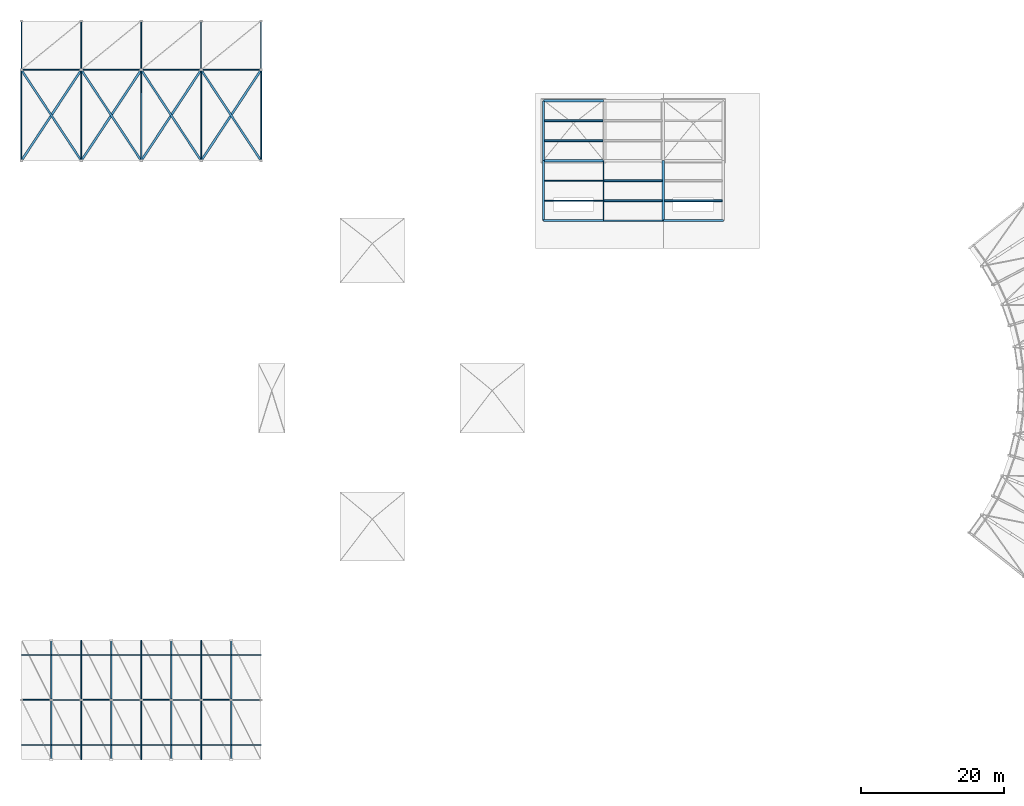
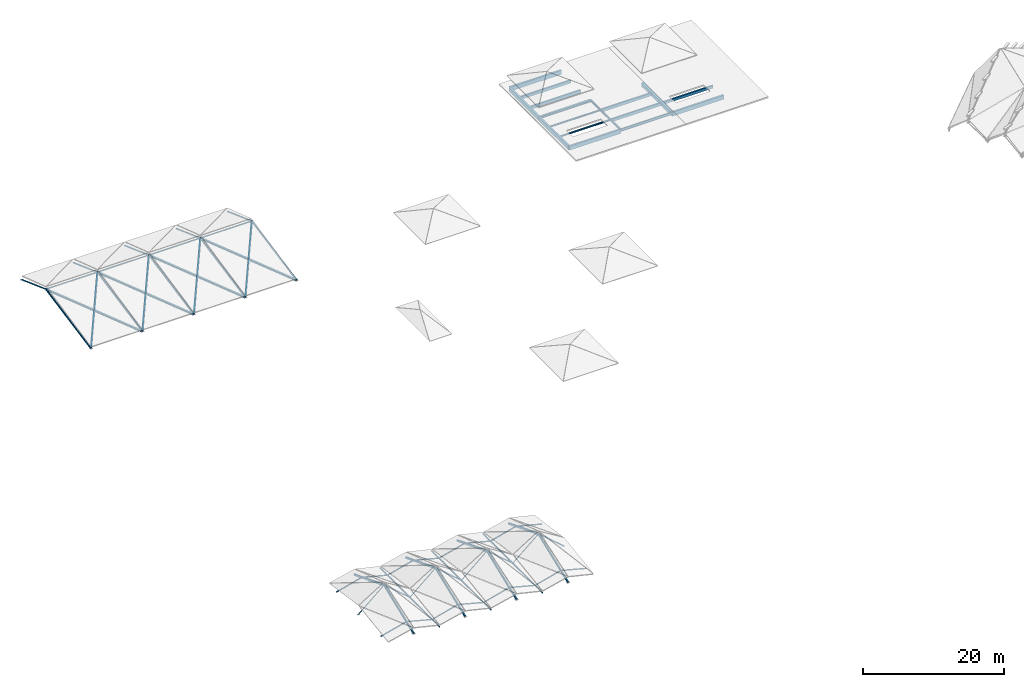
# One storey, part 1 of 10: 57 members, 16 beams.
"""IFC4 building model written with IfcOpenShell, lengths in metres."""

from ifc_helpers import new_model, si_unit, direction, frame, origin, origin_2d, place, context, subcontext, project, spatial, rectangle, hollow_rectangle, hollow_circle, i_section, extrude, material, material_profile, profile_set, type_object, element, save


model = new_model("IFC4")

# Units and contexts
model_context = context("Model", 3, precision=1e-05, world=origin(), true_north=direction((0.0, 1.0)))
body_context = subcontext(model_context, "Body", "Model", "MODEL_VIEW")
ifc_project = project(units=[si_unit("LENGTHUNIT", "METRE"), si_unit("AREAUNIT", "SQUARE_METRE"), si_unit("VOLUMEUNIT", "CUBIC_METRE"), si_unit("PLANEANGLEUNIT", "RADIAN"), si_unit("MASSUNIT", "GRAM", prefix="KILO")], contexts=[model_context])

# Site, building, storey
site_placement = place(None, origin())
site = spatial("IfcSite", under=ifc_project, at=site_placement, CompositionType="ELEMENT")
building_placement = place(site_placement, origin())
building = spatial("IfcBuilding", under=site, at=building_placement, Name="Vanh Quang Courtyard School", CompositionType="ELEMENT")
storey_placement = place(building_placement, frame((0.0, 0.0, 25.800048828125)))
storey = spatial("IfcBuildingStorey", under=building, at=storey_placement, Name="ROOF", CompositionType="ELEMENT", Elevation=25.800048828125)

# Beams
ifc_material_1 = material(Name="Concrete C35/45", Category="concrete")
ifc_material_profile_1 = material_profile(ifc_material_1, rectangle(XDim=0.35009765625, YDim=0.64990234375, at=origin_2d()), Name="RC-BM 350x650")
ifc_profile_set_1 = profile_set([ifc_material_profile_1], Name="Concrete C35/45")
beam_type_1 = type_object("IfcBeamType", Name="BM-RC-350x650", PredefinedType="BEAM", material=ifc_profile_set_1)
beam_1_placement = place(storey_placement, frame((94.199951171875, 79.800048828125, -0.545166015625), z_axis=(0.0, 1.0, 0.0), x_axis=(-1.0, 0.0, 0.0)))
element("IfcBeam", 1, at=beam_1_placement, inside=storey, type_object=beam_type_1, Name="Beam B-05 (ROOF)", PredefinedType="BEAM", context=body_context, shape_type="SweptSolid", body=[
    extrude(rectangle(XDim=0.35009765625, YDim=0.64990234375, at=origin_2d()), origin(), (0.0, 0.0, 1.0), 8.39990234375),
])
ifc_material_profile_2 = material_profile(ifc_material_1, rectangle(XDim=0.300048828125, YDim=0.699951171875, at=origin_2d()), Name="RC-SP 300x700")
ifc_profile_set_2 = profile_set([ifc_material_profile_2], Name="Concrete C35/45")
beam_type_2 = type_object("IfcBeamType", Name="BM-SP-300x700", PredefinedType="SPANDREL", material=ifc_profile_set_2)
for number, where, z_axis, x_axis, name in (
    (2, (77.39990234375, 79.800048828125, -0.570068359375), (1.0, 0.0, 0.0), (0.0, 1.0, 0.0), "Beam BS-01 (ROOF)"),
    (3, (94.199951171875, 79.800048828125, -0.570068359375), (1.0, 0.0, 0.0), (0.0, 1.0, 0.0), "Beam BS-01 (ROOF)"),
    (4, (77.39990234375, 96.60009765625, -0.570068359375), (1.0, 0.0, 0.0), (0.0, 1.0, 0.0), "Beam BS-01 (ROOF)"),
):
    element("IfcBeam", number, at=place(storey_placement, frame(where, z_axis=z_axis, x_axis=x_axis)), inside=storey, type_object=beam_type_2, Name=name, PredefinedType="SPANDREL", context=body_context, shape_type="SweptSolid", body=[
        extrude(rectangle(XDim=0.300048828125, YDim=0.699951171875, at=origin_2d()), origin(), (0.0, 0.0, 1.0), 8.400146484375),
    ])
beam_2_placement = place(storey_placement, frame((77.39990234375, 79.800048828125, -0.570068359375), z_axis=(0.0, 1.0, 0.0), x_axis=(-1.0, 0.0, 0.0)))
element("IfcBeam", 5, at=beam_2_placement, inside=storey, type_object=beam_type_2, Name="Beam BS-01 (ROOF)", PredefinedType="SPANDREL", context=body_context, shape_type="SweptSolid", body=[
    extrude(rectangle(XDim=0.300048828125, YDim=0.699951171875, at=origin_2d()), origin(), (0.0, 0.0, 1.0), 8.39990234375),
])
beam_3_placement = place(storey_placement, frame((77.39990234375, 88.199951171875, -0.570068359375), z_axis=(0.0, 1.0, 0.0), x_axis=(-1.0, 0.0, 0.0)))
element("IfcBeam", 6, at=beam_3_placement, inside=storey, type_object=beam_type_2, Name="Beam BS-01 (ROOF)", PredefinedType="SPANDREL", context=body_context, shape_type="SweptSolid", body=[
    extrude(rectangle(XDim=0.300048828125, YDim=0.699951171875, at=origin_2d()), origin(), (0.0, 0.0, 1.0), 8.400146484375),
])
ifc_material_2 = material(Name="Structural steel EN 10025-2 S355J2", Category="steel")
ifc_material_profile_3 = material_profile(ifc_material_2, i_section(OverallWidth=0.300048828125, OverallDepth=0.389892578125, WebThickness=0.010986328125, FlangeThickness=0.01904296875, FilletRadius=0.027099609375, at=origin_2d()), Name="HEA 400")
ifc_profile_set_3 = profile_set([ifc_material_profile_3], Name="Structural steel EN 10025-2 S355J2")
beam_type_3 = type_object("IfcBeamType", Name="BM-STL-HEA400", PredefinedType="BEAM", material=ifc_profile_set_3)
beam_4_placement = place(storey_placement, frame((77.39990234375, 88.199951171875, -0.4150390625), z_axis=(1.0, 0.0, 0.0), x_axis=(0.0, 1.0, 0.0)))
element("IfcBeam", 7, at=beam_4_placement, inside=storey, type_object=beam_type_3, Name="Beam SB-08 (ROOF)", PredefinedType="BEAM", context=body_context, shape_type="SweptSolid", body=[
    extrude(i_section(OverallWidth=0.300048828125, OverallDepth=0.389892578125, WebThickness=0.010986328125, FlangeThickness=0.01904296875, FilletRadius=0.027099609375, at=origin_2d()), origin(), (0.0, 0.0, 1.0), 8.400146484375),
])
ifc_material_profile_4 = material_profile(ifc_material_2, i_section(OverallWidth=0.169921875, OverallDepth=0.360107421875, WebThickness=0.008056640625, FlangeThickness=0.0126953125, FilletRadius=0.01806640625, at=origin_2d()), Name="IPE 360")
ifc_profile_set_4 = profile_set([ifc_material_profile_4], Name="Structural steel EN 10025-2 S355J2")
beam_type_4 = type_object("IfcBeamType", Name="BM-STL-IPE360", PredefinedType="BEAM", material=ifc_profile_set_4)
beam_5_placement = place(storey_placement, frame((85.800048828125, 79.800048828125, -0.400146484375), z_axis=(0.0, 1.0, 0.0), x_axis=(-1.0, 0.0, 0.0)))
element("IfcBeam", 8, at=beam_5_placement, inside=storey, type_object=beam_type_4, Name="Beam SB-06 (ROOF)", PredefinedType="BEAM", context=body_context, shape_type="SweptSolid", body=[
    extrude(i_section(OverallWidth=0.169921875, OverallDepth=0.360107421875, WebThickness=0.008056640625, FlangeThickness=0.0126953125, FilletRadius=0.01806640625, at=origin_2d()), origin(), (0.0, 0.0, 1.0), 8.39990234375),
])
ifc_material_profile_5 = material_profile(ifc_material_2, i_section(OverallWidth=0.18994140625, OverallDepth=0.449951171875, WebThickness=0.009521484375, FlangeThickness=0.0146484375, FilletRadius=0.02099609375, at=origin_2d()), Name="IPE 450")
ifc_profile_set_5 = profile_set([ifc_material_profile_5], Name="Structural steel EN 10025-2 S355J2")
beam_type_5 = type_object("IfcBeamType", Name="BM-STL-IPE450", PredefinedType="BEAM", material=ifc_profile_set_5)
beam_6_placement = place(storey_placement, frame((85.800048828125, 79.800048828125, -0.445068359375), z_axis=(1.0, 0.0, 0.0), x_axis=(0.0, 1.0, 0.0)))
element("IfcBeam", 9, at=beam_6_placement, inside=storey, type_object=beam_type_5, Name="Beam SB-04 (ROOF)", PredefinedType="BEAM", context=body_context, shape_type="SweptSolid", body=[
    extrude(i_section(OverallWidth=0.18994140625, OverallDepth=0.449951171875, WebThickness=0.009521484375, FlangeThickness=0.0146484375, FilletRadius=0.02099609375, at=origin_2d()), origin(), (0.0, 0.0, 1.0), 8.39990234375),
])
ifc_material_3 = material(Name="Concrete C30/37", Category="concrete")
ifc_material_profile_6 = material_profile(ifc_material_3, rectangle(XDim=0.25, YDim=0.449951171875, at=origin_2d()), Name="RC-JST 250x450")
ifc_profile_set_6 = profile_set([ifc_material_profile_6], Name="Concrete C30/37")
beam_type_6 = type_object("IfcBeamType", Name="JST-RC-250x450", PredefinedType="JOIST", material=ifc_profile_set_6)
beam_7_placement = place(storey_placement, frame((94.375, 82.60009765625, -0.445068359375), z_axis=(1.0, 0.0, 0.0), x_axis=(0.0, 1.0, 0.0)))
element("IfcBeam", 10, at=beam_7_placement, inside=storey, type_object=beam_type_6, Name="Beam BJ-02 (ROOF)", PredefinedType="JOIST", context=body_context, shape_type="SweptSolid", body=[
    extrude(rectangle(XDim=0.25, YDim=0.449951171875, at=origin_2d()), origin(), (0.0, 0.0, 1.0), 8.074951171875),
])
ifc_material_profile_7 = material_profile(ifc_material_3, rectangle(XDim=0.25, YDim=0.5, at=origin_2d()), Name="RC-JST 250x500")
ifc_profile_set_7 = profile_set([ifc_material_profile_7], Name="Concrete C30/37")
beam_type_7 = type_object("IfcBeamType", Name="JST-RC-250x500", PredefinedType="JOIST", material=ifc_profile_set_7)
for number, where, z_axis, x_axis, name in (
    (11, (77.550048828125, 91.0, -0.469970703125), (1.0, 0.0, 0.0), (0.0, 1.0, 0.0), "Beam BJ-01 (ROOF)"),
    (12, (77.550048828125, 93.800048828125, -0.469970703125), (1.0, 0.0, 0.0), (0.0, 1.0, 0.0), "Beam BJ-01 (ROOF)"),
):
    element("IfcBeam", number, at=place(storey_placement, frame(where, z_axis=z_axis, x_axis=x_axis)), inside=storey, type_object=beam_type_7, Name=name, PredefinedType="JOIST", context=body_context, shape_type="SweptSolid", body=[
        extrude(rectangle(XDim=0.25, YDim=0.5, at=origin_2d()), origin(), (0.0, 0.0, 1.0), 8.1650390625),
    ])
for number, where, z_axis, x_axis, name in (
    (13, (85.885009765625, 82.60009765625, -0.469970703125), (1.0, 0.0, 0.0), (0.0, 1.0, 0.0), "Beam BJ-01 (ROOF)"),
    (14, (85.885009765625, 85.39990234375, -0.469970703125), (1.0, 0.0, 0.0), (0.0, 1.0, 0.0), "Beam BJ-01 (ROOF)"),
):
    element("IfcBeam", number, at=place(storey_placement, frame(where, z_axis=z_axis, x_axis=x_axis)), inside=storey, type_object=beam_type_7, Name=name, PredefinedType="JOIST", context=body_context, shape_type="SweptSolid", body=[
        extrude(rectangle(XDim=0.25, YDim=0.5, at=origin_2d()), origin(), (0.0, 0.0, 1.0), 8.139892578125),
    ])
ifc_material_profile_8 = material_profile(ifc_material_2, i_section(OverallWidth=0.135009765625, OverallDepth=0.27001953125, WebThickness=0.006591796875, FlangeThickness=0.01025390625, FilletRadius=0.014892578125, at=origin_2d()), Name="IPE 270")
ifc_profile_set_8 = profile_set([ifc_material_profile_8], Name="Structural steel EN 10025-2 S355J2")
beam_type_8 = type_object("IfcBeamType", Name="JST-STL-IPE270", PredefinedType="JOIST", material=ifc_profile_set_8)
for number, where, z_axis, x_axis, name in (
    (15, (77.550048828125, 82.60009765625, -0.35498046875), (1.0, 0.0, 0.0), (0.0, 1.0, 0.0), "Beam SJ-03 (ROOF)"),
    (16, (77.550048828125, 85.39990234375, -0.35498046875), (1.0, 0.0, 0.0), (0.0, 1.0, 0.0), "Beam SJ-03 (ROOF)"),
):
    element("IfcBeam", number, at=place(storey_placement, frame(where, z_axis=z_axis, x_axis=x_axis)), inside=storey, type_object=beam_type_8, Name=name, PredefinedType="JOIST", context=body_context, shape_type="SweptSolid", body=[
        extrude(i_section(OverallWidth=0.135009765625, OverallDepth=0.27001953125, WebThickness=0.006591796875, FlangeThickness=0.01025390625, FilletRadius=0.014892578125, at=origin_2d()), origin(), (0.0, 0.0, 1.0), 8.1650390625),
    ])

# Members
ifc_material_profile_9 = material_profile(ifc_material_2, hollow_circle(Radius=0.06982421875, WallThickness=0.008056640625, at=origin_2d()), Name="CHS 139.7x8")
ifc_profile_set_9 = profile_set([ifc_material_profile_9], Name="Structural steel EN 10025-2 S355J2")
member_type_1 = type_object("IfcMemberType", Name="MEM-BRC-CHS139", PredefinedType="BRACE", material=ifc_profile_set_9)
for number, where, z_axis, x_axis, name in (
    (17, (4.199951171875, 12.60009765625, -14.699951171875), (0.759265948664, 0.0, 0.650780469282), (0.0, 1.0, 0.0), "Structural Member MB-03 (ROOF)"),
    (18, (12.60009765625, 12.60009765625, -14.699951171875), (0.759265948664, 0.0, 0.650780469282), (0.0, 1.0, 0.0), "Structural Member MB-03 (ROOF)"),
    (19, (21.0, 12.60009765625, -14.699951171875), (0.759265948664, 0.0, 0.650780469282), (0.0, 1.0, 0.0), "Structural Member MB-03 (ROOF)"),
):
    element("IfcMember", number, at=place(storey_placement, frame(where, z_axis=z_axis, x_axis=x_axis)), inside=storey, type_object=member_type_1, Name=name, PredefinedType="BRACE", context=body_context, shape_type="SweptSolid", body=[
        extrude(hollow_circle(Radius=0.06982421875, WallThickness=0.008056640625, at=origin_2d()), origin(), (0.0, 0.0, 1.0), 5.531494140625),
    ])
member_1_placement = place(storey_placement, frame((29.39990234375, 12.60009765625, -14.699951171875), z_axis=(0.759284639853, 0.0, 0.650758661627), x_axis=(0.0, 1.0, 0.0)))
element("IfcMember", 20, at=member_1_placement, inside=storey, type_object=member_type_1, Name="Structural Member MB-03 (ROOF)", PredefinedType="BRACE", context=body_context, shape_type="SweptSolid", body=[
    extrude(hollow_circle(Radius=0.06982421875, WallThickness=0.008056640625, at=origin_2d()), origin(), (0.0, 0.0, 1.0), 5.53173828125),
])
ifc_material_profile_10 = material_profile(ifc_material_2, i_section(OverallWidth=0.280029296875, OverallDepth=0.27001953125, WebThickness=0.008056640625, FlangeThickness=0.012939453125, FilletRadius=0.02392578125, at=origin_2d()), Name="HEA 280")
ifc_profile_set_10 = profile_set([ifc_material_profile_10], Name="Structural steel EN 10025-2 S355J2")
member_type_2 = type_object("IfcMemberType", Name="MEM-BRC-HEA280", PredefinedType="BRACE", material=ifc_profile_set_10)
for number, where, z_axis, x_axis, name in (
    (21, (12.60009765625, 88.199951171875, -14.66015625), (-0.543167208106, 0.823788601755, 0.162301335965), (-0.834857780006, -0.55046570026, 0.0), "Structural Member MB-08 (ROOF)"),
    (22, (21.0, 88.199951171875, -14.66015625), (-0.543156078941, 0.823795665506, 0.162302727652), (-0.834865132347, -0.550454549251, 0.0), "Structural Member MB-08 (ROOF)"),
    (23, (29.39990234375, 88.199951171875, -14.66015625), (-0.543156078941, 0.823795665506, 0.162302727652), (-0.834865132347, -0.550454549251, 0.0), "Structural Member MB-08 (ROOF)"),
    (24, (37.800048828125, 88.199951171875, -14.66015625), (-0.543167208106, 0.823788601755, 0.162301335965), (-0.834857780006, -0.55046570026, 0.0), "Structural Member MB-08 (ROOF)"),
):
    element("IfcMember", number, at=place(storey_placement, frame(where, z_axis=z_axis, x_axis=x_axis)), inside=storey, type_object=member_type_2, Name=name, PredefinedType="BRACE", context=body_context, shape_type="SweptSolid", body=[
        extrude(i_section(OverallWidth=0.280029296875, OverallDepth=0.27001953125, WebThickness=0.008056640625, FlangeThickness=0.012939453125, FilletRadius=0.02392578125, at=origin_2d()), origin(), (0.0, 0.0, 1.0), 15.465087890625),
    ])
ifc_material_profile_11 = material_profile(ifc_material_2, i_section(OverallWidth=0.300048828125, OverallDepth=0.2900390625, WebThickness=0.008544921875, FlangeThickness=0.013916015625, FilletRadius=0.027099609375, at=origin_2d()), Name="HEA 300")
ifc_profile_set_11 = profile_set([ifc_material_profile_11], Name="Structural steel EN 10025-2 S355J2")
member_type_3 = type_object("IfcMemberType", Name="MEM-BRC-HEA300", PredefinedType="BRACE", material=ifc_profile_set_11)
for number, where, z_axis, x_axis, name in (
    (25, (4.199951171875, 88.199951171875, -14.66015625), (0.543167208106, 0.823788601755, 0.162301335965), (-0.834857780006, 0.55046570026, 0.0), "Structural Member MB-07 (ROOF)"),
    (26, (12.60009765625, 88.199951171875, -14.66015625), (0.543156078941, 0.823795665506, 0.162302727652), (-0.834865132347, 0.550454549251, 0.0), "Structural Member MB-07 (ROOF)"),
    (27, (21.0, 88.199951171875, -14.66015625), (0.543156078941, 0.823795665506, 0.162302727652), (-0.834865132347, 0.550454549251, 0.0), "Structural Member MB-07 (ROOF)"),
    (28, (29.39990234375, 88.199951171875, -14.66015625), (0.543167208106, 0.823788601755, 0.162301335965), (-0.834857780006, 0.55046570026, 0.0), "Structural Member MB-07 (ROOF)"),
):
    element("IfcMember", number, at=place(storey_placement, frame(where, z_axis=z_axis, x_axis=x_axis)), inside=storey, type_object=member_type_3, Name=name, PredefinedType="BRACE", context=body_context, shape_type="SweptSolid", body=[
        extrude(i_section(OverallWidth=0.300048828125, OverallDepth=0.2900390625, WebThickness=0.008544921875, FlangeThickness=0.013916015625, FilletRadius=0.027099609375, at=origin_2d()), origin(), (0.0, 0.0, 1.0), 15.465087890625),
    ])
ifc_material_profile_12 = material_profile(ifc_material_2, hollow_rectangle(XDim=0.10009765625, YDim=0.199951171875, WallThickness=0.008056640625, at=origin_2d()), Name="RHS 200x100x8")
ifc_profile_set_12 = profile_set([ifc_material_profile_12], Name="Structural steel EN 10025-2 S355J2")
member_type_4 = type_object("IfcMemberType", Name="MEM-BRC-RHS200", PredefinedType="BRACE", material=ifc_profile_set_12)
for number, where, z_axis, x_axis, name in (
    (29, (4.199951171875, 100.93994140625, -12.150146484375), (0.0, 0.939113382896, -0.343607412704), (-1.0, 0.0, 0.0), "Structural Member MB-06 (ROOF)"),
    (30, (12.60009765625, 100.93994140625, -12.150146484375), (0.0, 0.939113382896, -0.343607412704), (-1.0, 0.0, 0.0), "Structural Member MB-06 (ROOF)"),
    (31, (21.0, 100.93994140625, -12.150146484375), (0.0, 0.939113382896, -0.343607412704), (-1.0, 0.0, 0.0), "Structural Member MB-06 (ROOF)"),
    (32, (29.39990234375, 100.93994140625, -12.150146484375), (0.0, 0.939113382896, -0.343607412704), (-1.0, 0.0, 0.0), "Structural Member MB-06 (ROOF)"),
    (33, (37.800048828125, 100.93994140625, -12.150146484375), (0.0, 0.939113382896, -0.343607412704), (-1.0, 0.0, 0.0), "Structural Member MB-06 (ROOF)"),
):
    element("IfcMember", number, at=place(storey_placement, frame(where, z_axis=z_axis, x_axis=x_axis)), inside=storey, type_object=member_type_4, Name=name, PredefinedType="BRACE", context=body_context, shape_type="SweptSolid", body=[
        extrude(hollow_rectangle(XDim=0.10009765625, YDim=0.199951171875, WallThickness=0.008056640625, at=origin_2d()), origin(), (0.0, 0.0, 1.0), 7.304931640625),
    ])
ifc_material_profile_13 = material_profile(ifc_material_2, hollow_rectangle(XDim=0.14990234375, YDim=0.25, WallThickness=0.010009765625, at=origin_2d()), Name="RHS 250x150x10")
ifc_profile_set_13 = profile_set([ifc_material_profile_13], Name="Structural steel EN 10025-2 S355J2")
member_type_5 = type_object("IfcMemberType", Name="MEM-BRC-RHS250", PredefinedType="BRACE", material=ifc_profile_set_13)
for number, where, z_axis, x_axis, name in (
    (34, (4.199951171875, 88.199951171875, -14.66015625), (0.0, 0.981139251223, 0.193302275489), (-1.0, 0.0, 0.0), "Structural Member MB-05 (ROOF)"),
    (35, (12.60009765625, 88.199951171875, -14.66015625), (0.0, 0.981139251223, 0.193302275489), (-1.0, 0.0, 0.0), "Structural Member MB-05 (ROOF)"),
    (36, (21.0, 88.199951171875, -14.66015625), (0.0, 0.981139251223, 0.193302275489), (-1.0, 0.0, 0.0), "Structural Member MB-05 (ROOF)"),
    (37, (29.39990234375, 88.199951171875, -14.66015625), (0.0, 0.981139251223, 0.193302275489), (-1.0, 0.0, 0.0), "Structural Member MB-05 (ROOF)"),
    (38, (37.800048828125, 88.199951171875, -14.66015625), (0.0, 0.981139251223, 0.193302275489), (-1.0, 0.0, 0.0), "Structural Member MB-05 (ROOF)"),
):
    element("IfcMember", number, at=place(storey_placement, frame(where, z_axis=z_axis, x_axis=x_axis)), inside=storey, type_object=member_type_5, Name=name, PredefinedType="BRACE", context=body_context, shape_type="SweptSolid", body=[
        extrude(hollow_rectangle(XDim=0.14990234375, YDim=0.25, WallThickness=0.010009765625, at=origin_2d()), origin(), (0.0, 0.0, 1.0), 12.98486328125),
    ])
ifc_material_profile_14 = material_profile(ifc_material_2, hollow_rectangle(XDim=0.179931640625, YDim=0.179931640625, WallThickness=0.010009765625, at=origin_2d()), Name="SHS 180x180x10")
ifc_profile_set_14 = profile_set([ifc_material_profile_14], Name="Structural steel EN 10025-2 S355J2")
member_type_6 = type_object("IfcMemberType", Name="MEM-BRC-SHS180", PredefinedType="BRACE", material=ifc_profile_set_14)
member_2_placement = place(storey_placement, frame((12.60009765625, 12.60009765625, -14.699951171875), z_axis=(-0.759284639853, 0.0, 0.650758661627), x_axis=(0.0, -1.0, 0.0)))
element("IfcMember", 39, at=member_2_placement, inside=storey, type_object=member_type_6, Name="Structural Member MB-04 (ROOF)", PredefinedType="BRACE", context=body_context, shape_type="SweptSolid", body=[
    extrude(hollow_rectangle(XDim=0.179931640625, YDim=0.179931640625, WallThickness=0.010009765625, at=origin_2d()), origin(), (0.0, 0.0, 1.0), 5.53173828125),
])
for number, where, z_axis, x_axis, name in (
    (40, (21.0, 12.60009765625, -14.699951171875), (-0.759265948664, 0.0, 0.650780469282), (0.0, -1.0, 0.0), "Structural Member MB-04 (ROOF)"),
    (41, (29.39990234375, 12.60009765625, -14.699951171875), (-0.759265948664, 0.0, 0.650780469282), (0.0, -1.0, 0.0), "Structural Member MB-04 (ROOF)"),
    (42, (37.800048828125, 12.60009765625, -14.699951171875), (-0.759265948664, 0.0, 0.650780469282), (0.0, -1.0, 0.0), "Structural Member MB-04 (ROOF)"),
):
    element("IfcMember", number, at=place(storey_placement, frame(where, z_axis=z_axis, x_axis=x_axis)), inside=storey, type_object=member_type_6, Name=name, PredefinedType="BRACE", context=body_context, shape_type="SweptSolid", body=[
        extrude(hollow_rectangle(XDim=0.179931640625, YDim=0.179931640625, WallThickness=0.010009765625, at=origin_2d()), origin(), (0.0, 0.0, 1.0), 5.531494140625),
    ])
ifc_material_profile_15 = material_profile(ifc_material_2, hollow_circle(Radius=0.109619140625, WallThickness=0.010009765625, at=origin_2d()), Name="CHS 219.1x10")
ifc_profile_set_15 = profile_set([ifc_material_profile_15], Name="Structural steel EN 10025-2 S355J2")
member_type_7 = type_object("IfcMemberType", Name="MEM-CHD-CHS219", PredefinedType="CHORD", material=ifc_profile_set_15)
for number, where, z_axis, x_axis, name in (
    (43, (12.60009765625, 4.199951171875, -14.699951171875), (0.0, 1.0, 0.0), (-1.0, 0.0, 0.0), "Structural Member MC-03 (ROOF)"),
    (44, (21.0, 4.199951171875, -14.699951171875), (0.0, 1.0, 0.0), (-1.0, 0.0, 0.0), "Structural Member MC-03 (ROOF)"),
    (45, (29.39990234375, 4.199951171875, -14.699951171875), (0.0, 1.0, 0.0), (-1.0, 0.0, 0.0), "Structural Member MC-03 (ROOF)"),
):
    element("IfcMember", number, at=place(storey_placement, frame(where, z_axis=z_axis, x_axis=x_axis)), inside=storey, type_object=member_type_7, Name=name, PredefinedType="CHORD", context=body_context, shape_type="SweptSolid", body=[
        extrude(hollow_circle(Radius=0.109619140625, WallThickness=0.010009765625, at=origin_2d()), origin(), (0.0, 0.0, 1.0), 16.800048828125),
    ])
member_3_placement = place(storey_placement, frame((4.199951171875, 100.93994140625, -12.150146484375), z_axis=(1.0, 0.0, 0.0), x_axis=(0.0, 1.0, 0.0)))
element("IfcMember", 46, at=member_3_placement, inside=storey, type_object=member_type_7, Name="Structural Member MC-03 (ROOF)", PredefinedType="CHORD", context=body_context, shape_type="SweptSolid", body=[
    extrude(hollow_circle(Radius=0.109619140625, WallThickness=0.010009765625, at=origin_2d()), origin(), (0.0, 0.0, 1.0), 8.400146484375),
])
for number, where, z_axis, x_axis, name in (
    (47, (12.60009765625, 100.93994140625, -12.150146484375), (1.0, 0.0, 0.0), (0.0, 1.0, 0.0), "Structural Member MC-03 (ROOF)"),
    (48, (21.0, 100.93994140625, -12.150146484375), (1.0, 0.0, 0.0), (0.0, 1.0, 0.0), "Structural Member MC-03 (ROOF)"),
):
    element("IfcMember", number, at=place(storey_placement, frame(where, z_axis=z_axis, x_axis=x_axis)), inside=storey, type_object=member_type_7, Name=name, PredefinedType="CHORD", context=body_context, shape_type="SweptSolid", body=[
        extrude(hollow_circle(Radius=0.109619140625, WallThickness=0.010009765625, at=origin_2d()), origin(), (0.0, 0.0, 1.0), 8.39990234375),
    ])
member_4_placement = place(storey_placement, frame((29.39990234375, 100.93994140625, -12.150146484375), z_axis=(1.0, 0.0, 0.0), x_axis=(0.0, 1.0, 0.0)))
element("IfcMember", 49, at=member_4_placement, inside=storey, type_object=member_type_7, Name="Structural Member MC-03 (ROOF)", PredefinedType="CHORD", context=body_context, shape_type="SweptSolid", body=[
    extrude(hollow_circle(Radius=0.109619140625, WallThickness=0.010009765625, at=origin_2d()), origin(), (0.0, 0.0, 1.0), 8.400146484375),
])
ifc_material_profile_16 = material_profile(ifc_material_2, hollow_rectangle(XDim=0.199951171875, YDim=0.300048828125, WallThickness=0.011962890625, at=origin_2d()), Name="RHS 300x200x12")
ifc_profile_set_16 = profile_set([ifc_material_profile_16], Name="Structural steel EN 10025-2 S355J2")
member_type_8 = type_object("IfcMemberType", Name="MEM-CHD-RHS300", PredefinedType="CHORD", material=ifc_profile_set_16)
member_5_placement = place(storey_placement, frame((8.39990234375, 4.199951171875, -14.400146484375), z_axis=(0.0, 0.93075182224, 0.365651535479), x_axis=(-1.0, 0.0, 0.0)))
element("IfcMember", 50, at=member_5_placement, inside=storey, type_object=member_type_8, Name="Structural Member MC-04 (ROOF)", PredefinedType="CHORD", context=body_context, shape_type="SweptSolid", body=[
    extrude(hollow_rectangle(XDim=0.199951171875, YDim=0.300048828125, WallThickness=0.011962890625, at=origin_2d()), origin(), (0.0, 0.0, 1.0), 9.025146484375),
])
member_6_placement = place(storey_placement, frame((8.39990234375, 12.60009765625, -11.10009765625), z_axis=(0.0, 0.930748205325, -0.365660742062), x_axis=(-1.0, 0.0, 0.0)))
element("IfcMember", 51, at=member_6_placement, inside=storey, type_object=member_type_8, Name="Structural Member MC-04 (ROOF)", PredefinedType="CHORD", context=body_context, shape_type="SweptSolid", body=[
    extrude(hollow_rectangle(XDim=0.199951171875, YDim=0.300048828125, WallThickness=0.011962890625, at=origin_2d()), origin(), (0.0, 0.0, 1.0), 9.02490234375),
])
member_7_placement = place(storey_placement, frame((16.800048828125, 4.199951171875, -14.400146484375), z_axis=(0.0, 0.93075182224, 0.365651535479), x_axis=(-1.0, 0.0, 0.0)))
element("IfcMember", 52, at=member_7_placement, inside=storey, type_object=member_type_8, Name="Structural Member MC-04 (ROOF)", PredefinedType="CHORD", context=body_context, shape_type="SweptSolid", body=[
    extrude(hollow_rectangle(XDim=0.199951171875, YDim=0.300048828125, WallThickness=0.011962890625, at=origin_2d()), origin(), (0.0, 0.0, 1.0), 9.025146484375),
])
member_8_placement = place(storey_placement, frame((16.800048828125, 12.60009765625, -11.10009765625), z_axis=(0.0, 0.930748205325, -0.365660742062), x_axis=(-1.0, 0.0, 0.0)))
element("IfcMember", 53, at=member_8_placement, inside=storey, type_object=member_type_8, Name="Structural Member MC-04 (ROOF)", PredefinedType="CHORD", context=body_context, shape_type="SweptSolid", body=[
    extrude(hollow_rectangle(XDim=0.199951171875, YDim=0.300048828125, WallThickness=0.011962890625, at=origin_2d()), origin(), (0.0, 0.0, 1.0), 9.02490234375),
])
member_9_placement = place(storey_placement, frame((25.199951171875, 4.199951171875, -14.400146484375), z_axis=(0.0, 0.93075182224, 0.365651535479), x_axis=(-1.0, 0.0, 0.0)))
element("IfcMember", 54, at=member_9_placement, inside=storey, type_object=member_type_8, Name="Structural Member MC-04 (ROOF)", PredefinedType="CHORD", context=body_context, shape_type="SweptSolid", body=[
    extrude(hollow_rectangle(XDim=0.199951171875, YDim=0.300048828125, WallThickness=0.011962890625, at=origin_2d()), origin(), (0.0, 0.0, 1.0), 9.025146484375),
])
member_10_placement = place(storey_placement, frame((25.199951171875, 12.60009765625, -11.10009765625), z_axis=(0.0, 0.930748205325, -0.365660742062), x_axis=(-1.0, 0.0, 0.0)))
element("IfcMember", 55, at=member_10_placement, inside=storey, type_object=member_type_8, Name="Structural Member MC-04 (ROOF)", PredefinedType="CHORD", context=body_context, shape_type="SweptSolid", body=[
    extrude(hollow_rectangle(XDim=0.199951171875, YDim=0.300048828125, WallThickness=0.011962890625, at=origin_2d()), origin(), (0.0, 0.0, 1.0), 9.02490234375),
])
member_11_placement = place(storey_placement, frame((33.60009765625, 4.199951171875, -14.400146484375), z_axis=(0.0, 0.93075182224, 0.365651535479), x_axis=(-1.0, 0.0, 0.0)))
element("IfcMember", 56, at=member_11_placement, inside=storey, type_object=member_type_8, Name="Structural Member MC-04 (ROOF)", PredefinedType="CHORD", context=body_context, shape_type="SweptSolid", body=[
    extrude(hollow_rectangle(XDim=0.199951171875, YDim=0.300048828125, WallThickness=0.011962890625, at=origin_2d()), origin(), (0.0, 0.0, 1.0), 9.025146484375),
])
member_12_placement = place(storey_placement, frame((33.60009765625, 12.60009765625, -11.10009765625), z_axis=(0.0, 0.930748205325, -0.365660742062), x_axis=(-1.0, 0.0, 0.0)))
element("IfcMember", 57, at=member_12_placement, inside=storey, type_object=member_type_8, Name="Structural Member MC-04 (ROOF)", PredefinedType="CHORD", context=body_context, shape_type="SweptSolid", body=[
    extrude(hollow_rectangle(XDim=0.199951171875, YDim=0.300048828125, WallThickness=0.011962890625, at=origin_2d()), origin(), (0.0, 0.0, 1.0), 9.02490234375),
])
ifc_material_profile_17 = material_profile(ifc_material_2, hollow_rectangle(XDim=0.10009765625, YDim=0.179931640625, WallThickness=0.008056640625, at=origin_2d()), Name="RHS 180x100x8")
ifc_profile_set_17 = profile_set([ifc_material_profile_17], Name="Structural steel EN 10025-2 S355J2")
member_type_9 = type_object("IfcMemberType", Name="MEM-PRL-RHS180", PredefinedType="PURLIN", material=ifc_profile_set_17)
member_13_placement = place(storey_placement, frame((4.199951171875, 6.300048828125, -14.699951171875), z_axis=(0.967379770431, 0.0, 0.253330574074), x_axis=(0.0, 1.0, 0.0)))
element("IfcMember", 58, at=member_13_placement, inside=storey, type_object=member_type_9, Name="Structural Member MP-03 (ROOF)", PredefinedType="PURLIN", context=body_context, shape_type="SweptSolid", body=[
    extrude(hollow_rectangle(XDim=0.10009765625, YDim=0.179931640625, WallThickness=0.008056640625, at=origin_2d()), origin(), (0.0, 0.0, 1.0), 4.341552734375),
])
member_14_placement = place(storey_placement, frame((8.39990234375, 6.300048828125, -13.60009765625), z_axis=(0.96738337898, 0.0, -0.253316793903), x_axis=(0.0, 1.0, 0.0)))
element("IfcMember", 59, at=member_14_placement, inside=storey, type_object=member_type_9, Name="Structural Member MP-03 (ROOF)", PredefinedType="PURLIN", context=body_context, shape_type="SweptSolid", body=[
    extrude(hollow_rectangle(XDim=0.10009765625, YDim=0.179931640625, WallThickness=0.008056640625, at=origin_2d()), origin(), (0.0, 0.0, 1.0), 4.341796875),
])
member_15_placement = place(storey_placement, frame((4.199951171875, 18.89990234375, -14.699951171875), z_axis=(0.967379770431, 0.0, 0.253330574074), x_axis=(0.0, 1.0, 0.0)))
element("IfcMember", 60, at=member_15_placement, inside=storey, type_object=member_type_9, Name="Structural Member MP-03 (ROOF)", PredefinedType="PURLIN", context=body_context, shape_type="SweptSolid", body=[
    extrude(hollow_rectangle(XDim=0.10009765625, YDim=0.179931640625, WallThickness=0.008056640625, at=origin_2d()), origin(), (0.0, 0.0, 1.0), 4.341552734375),
])
member_16_placement = place(storey_placement, frame((8.39990234375, 18.89990234375, -13.60009765625), z_axis=(0.96738337898, 0.0, -0.253316793903), x_axis=(0.0, 1.0, 0.0)))
element("IfcMember", 61, at=member_16_placement, inside=storey, type_object=member_type_9, Name="Structural Member MP-03 (ROOF)", PredefinedType="PURLIN", context=body_context, shape_type="SweptSolid", body=[
    extrude(hollow_rectangle(XDim=0.10009765625, YDim=0.179931640625, WallThickness=0.008056640625, at=origin_2d()), origin(), (0.0, 0.0, 1.0), 4.341796875),
])
for number, where, z_axis, x_axis, name in (
    (62, (12.60009765625, 6.300048828125, -14.699951171875), (0.967379770431, 0.0, 0.253330574074), (0.0, 1.0, 0.0), "Structural Member MP-03 (ROOF)"),
    (63, (16.800048828125, 6.300048828125, -13.60009765625), (0.967379770431, 0.0, -0.253330574074), (0.0, 1.0, 0.0), "Structural Member MP-03 (ROOF)"),
    (64, (12.60009765625, 18.89990234375, -14.699951171875), (0.967379770431, 0.0, 0.253330574074), (0.0, 1.0, 0.0), "Structural Member MP-03 (ROOF)"),
    (65, (16.800048828125, 18.89990234375, -13.60009765625), (0.967379770431, 0.0, -0.253330574074), (0.0, 1.0, 0.0), "Structural Member MP-03 (ROOF)"),
    (66, (21.0, 6.300048828125, -14.699951171875), (0.967379770431, 0.0, 0.253330574074), (0.0, 1.0, 0.0), "Structural Member MP-03 (ROOF)"),
    (67, (25.199951171875, 6.300048828125, -13.60009765625), (0.967379770431, 0.0, -0.253330574074), (0.0, 1.0, 0.0), "Structural Member MP-03 (ROOF)"),
    (68, (21.0, 18.89990234375, -14.699951171875), (0.967379770431, 0.0, 0.253330574074), (0.0, 1.0, 0.0), "Structural Member MP-03 (ROOF)"),
    (69, (25.199951171875, 18.89990234375, -13.60009765625), (0.967379770431, 0.0, -0.253330574074), (0.0, 1.0, 0.0), "Structural Member MP-03 (ROOF)"),
):
    element("IfcMember", number, at=place(storey_placement, frame(where, z_axis=z_axis, x_axis=x_axis)), inside=storey, type_object=member_type_9, Name=name, PredefinedType="PURLIN", context=body_context, shape_type="SweptSolid", body=[
        extrude(hollow_rectangle(XDim=0.10009765625, YDim=0.179931640625, WallThickness=0.008056640625, at=origin_2d()), origin(), (0.0, 0.0, 1.0), 4.341552734375),
    ])
member_17_placement = place(storey_placement, frame((29.39990234375, 6.300048828125, -14.699951171875), z_axis=(0.96738337898, 0.0, 0.253316793903), x_axis=(0.0, 1.0, 0.0)))
element("IfcMember", 70, at=member_17_placement, inside=storey, type_object=member_type_9, Name="Structural Member MP-03 (ROOF)", PredefinedType="PURLIN", context=body_context, shape_type="SweptSolid", body=[
    extrude(hollow_rectangle(XDim=0.10009765625, YDim=0.179931640625, WallThickness=0.008056640625, at=origin_2d()), origin(), (0.0, 0.0, 1.0), 4.341796875),
])
member_18_placement = place(storey_placement, frame((33.60009765625, 6.300048828125, -13.60009765625), z_axis=(0.967379770431, 0.0, -0.253330574074), x_axis=(0.0, 1.0, 0.0)))
element("IfcMember", 71, at=member_18_placement, inside=storey, type_object=member_type_9, Name="Structural Member MP-03 (ROOF)", PredefinedType="PURLIN", context=body_context, shape_type="SweptSolid", body=[
    extrude(hollow_rectangle(XDim=0.10009765625, YDim=0.179931640625, WallThickness=0.008056640625, at=origin_2d()), origin(), (0.0, 0.0, 1.0), 4.341552734375),
])
member_19_placement = place(storey_placement, frame((29.39990234375, 18.89990234375, -14.699951171875), z_axis=(0.96738337898, 0.0, 0.253316793903), x_axis=(0.0, 1.0, 0.0)))
element("IfcMember", 72, at=member_19_placement, inside=storey, type_object=member_type_9, Name="Structural Member MP-03 (ROOF)", PredefinedType="PURLIN", context=body_context, shape_type="SweptSolid", body=[
    extrude(hollow_rectangle(XDim=0.10009765625, YDim=0.179931640625, WallThickness=0.008056640625, at=origin_2d()), origin(), (0.0, 0.0, 1.0), 4.341796875),
])
member_20_placement = place(storey_placement, frame((33.60009765625, 18.89990234375, -13.60009765625), z_axis=(0.967379770431, 0.0, -0.253330574074), x_axis=(0.0, 1.0, 0.0)))
element("IfcMember", 73, at=member_20_placement, inside=storey, type_object=member_type_9, Name="Structural Member MP-03 (ROOF)", PredefinedType="PURLIN", context=body_context, shape_type="SweptSolid", body=[
    extrude(hollow_rectangle(XDim=0.10009765625, YDim=0.179931640625, WallThickness=0.008056640625, at=origin_2d()), origin(), (0.0, 0.0, 1.0), 4.341552734375),
])

save(model, "model.ifc")
